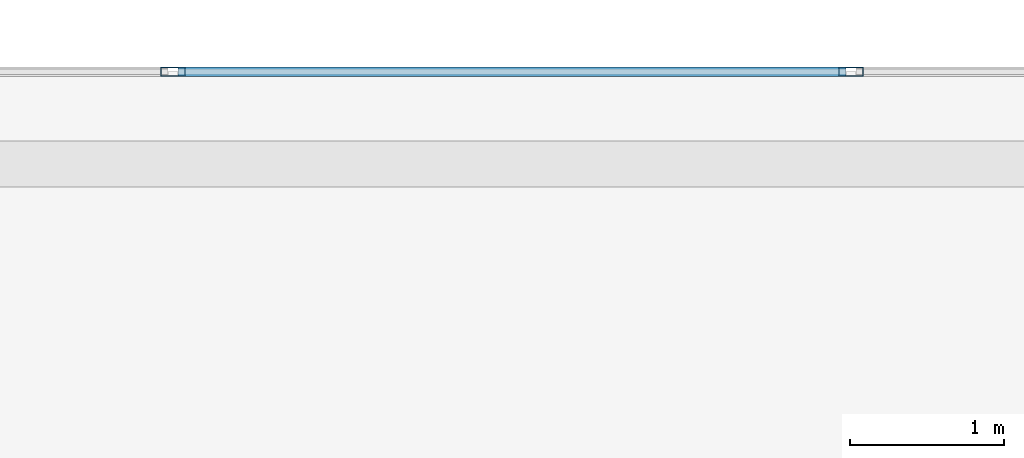
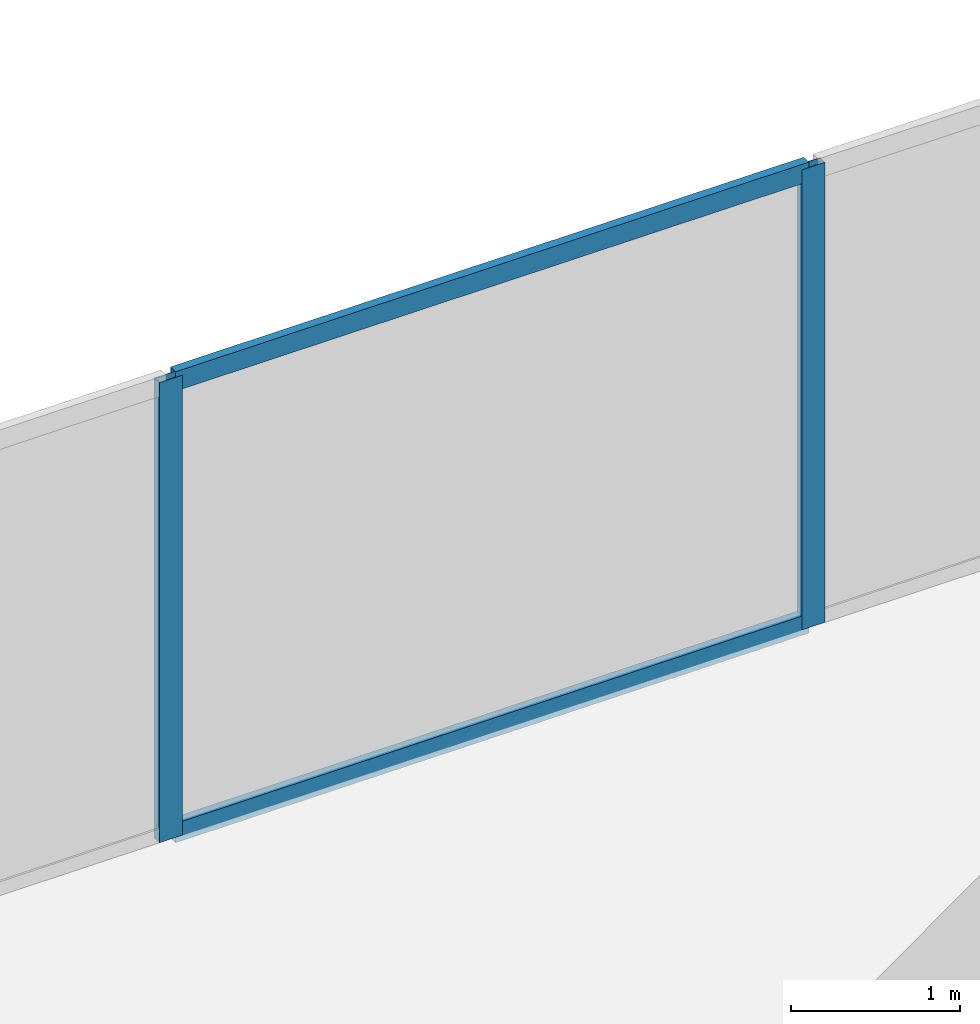
# One storey, part 22 of 33: 4 members, 1 element without a shape of its own.
"""IFC4 building model written with IfcOpenShell, lengths in metres."""

from ifc_helpers import new_model, si_unit, direction, frame, origin, origin_2d, place, context, subcontext, project, spatial, hollow_rectangle, extrude, material, layer, layer_set, material_profile, profile_set, type_object, element, aggregate, save


model = new_model("IFC4")

# Units and contexts
model_context = context("Model", 3, precision=1e-05, world=origin(), true_north=direction((0.0, 1.0)))
body_context = subcontext(model_context, "Body", "Model", "MODEL_VIEW")
ifc_project = project(units=[si_unit("LENGTHUNIT", "METRE"), si_unit("AREAUNIT", "SQUARE_METRE"), si_unit("VOLUMEUNIT", "CUBIC_METRE"), si_unit("PLANEANGLEUNIT", "RADIAN"), si_unit("MASSUNIT", "GRAM", prefix="KILO")], contexts=[model_context])

# Site, building, storey
site_placement = place(None, origin())
site = spatial("IfcSite", under=ifc_project, at=site_placement, CompositionType="ELEMENT")
building_placement = place(site_placement, origin())
building = spatial("IfcBuilding", under=site, at=building_placement, Name="Catumbela Crestline Tower", CompositionType="ELEMENT")
storey_placement = place(building_placement, frame((0.0, 0.0, 108.0)))
storey = spatial("IfcBuildingStorey", under=building, at=storey_placement, Name="L27", CompositionType="ELEMENT", Elevation=108.0)

# Curtain wall, members
ifc_material = material(Name="Aluminium alloy AW-6060-T66", Category="aluminium")
ifc_layer = layer(ifc_material, 0.18, Name="Aluminium alloy AW-6060-T66")
ifc_layer_set = layer_set([ifc_layer], Name="Aluminium alloy AW-6060-T66")
curtain_wall_type = type_object("IfcCurtainWallType", Name="CWU-Z2", PredefinedType="USERDEFINED", material=ifc_layer_set)
curtain_wall_placement = place(storey_placement, origin())
curtain_wall = element("IfcCurtainWall", 1, at=curtain_wall_placement, inside=storey, type_object=curtain_wall_type, Name="L27 Unitised Curtain Wall CW-L27-E7S1", ObjectType="UNITISED", PredefinedType="USERDEFINED")
ifc_material_profile_1 = material_profile(ifc_material, hollow_rectangle(XDim=0.06, YDim=0.16, WallThickness=0.004, at=origin_2d()), Name="ALU 160x60x4")
ifc_profile_set_1 = profile_set([ifc_material_profile_1], Name="Aluminium alloy AW-6060-T66")
member_type_1 = type_object("IfcMemberType", Name="MUL-160X60", PredefinedType="MULLION", material=ifc_profile_set_1)
member_1_placement = place(storey_placement, frame((29.9, 48.0, 0.0), z_axis=(0.0, 0.0, 1.0), x_axis=(0.0, -1.0, 0.0)))
member_1 = element("IfcMember", 2, at=member_1_placement, type_object=member_type_1, Name="CWU-Z2 mullion 5", PredefinedType="MULLION", context=body_context, shape_type="SweptSolid", body=[
    extrude(hollow_rectangle(XDim=0.06, YDim=0.16, WallThickness=0.004, at=origin_2d()), origin(), (0.0, 0.0, 1.0), 3.33),
])
member_2_placement = place(storey_placement, frame((25.5, 48.0, 0.0), z_axis=(0.0, 0.0, 1.0), x_axis=(0.0, -1.0, 0.0)))
member_2 = element("IfcMember", 3, at=member_2_placement, type_object=member_type_1, Name="CWU-Z2 mullion 6", PredefinedType="MULLION", context=body_context, shape_type="SweptSolid", body=[
    extrude(hollow_rectangle(XDim=0.06, YDim=0.16, WallThickness=0.004, at=origin_2d()), origin(), (0.0, 0.0, 1.0), 3.33),
])
ifc_material_profile_2 = material_profile(ifc_material, hollow_rectangle(XDim=0.06, YDim=0.14, WallThickness=0.004, at=origin_2d()), Name="ALU 140x60x4")
ifc_profile_set_2 = profile_set([ifc_material_profile_2], Name="Aluminium alloy AW-6060-T66")
member_type_2 = type_object("IfcMemberType", Name="TRN-140X60", PredefinedType="USERDEFINED", material=ifc_profile_set_2)
member_3_placement = place(storey_placement, frame((29.8675, 48.0, 0.03), z_axis=(-1.0, 0.0, 0.0), x_axis=(0.0, -1.0, 0.0)))
member_3 = element("IfcMember", 4, at=member_3_placement, type_object=member_type_2, Name="CWU-Z2 transom 5.1", ObjectType="TRANSOM", PredefinedType="USERDEFINED", context=body_context, shape_type="SweptSolid", body=[
    extrude(hollow_rectangle(XDim=0.06, YDim=0.14, WallThickness=0.004, at=origin_2d()), origin(), (0.0, 0.0, 1.0), 4.335),
])
member_4_placement = place(storey_placement, frame((29.8675, 48.0, 3.3), z_axis=(-1.0, 0.0, 0.0), x_axis=(0.0, -1.0, 0.0)))
member_4 = element("IfcMember", 5, at=member_4_placement, type_object=member_type_2, Name="CWU-Z2 transom 5.2", ObjectType="TRANSOM", PredefinedType="USERDEFINED", context=body_context, shape_type="SweptSolid", body=[
    extrude(hollow_rectangle(XDim=0.06, YDim=0.14, WallThickness=0.004, at=origin_2d()), origin(), (0.0, 0.0, 1.0), 4.335),
])
aggregate(curtain_wall, [member_1, member_2, member_3, member_4])

save(model, "model.ifc")
